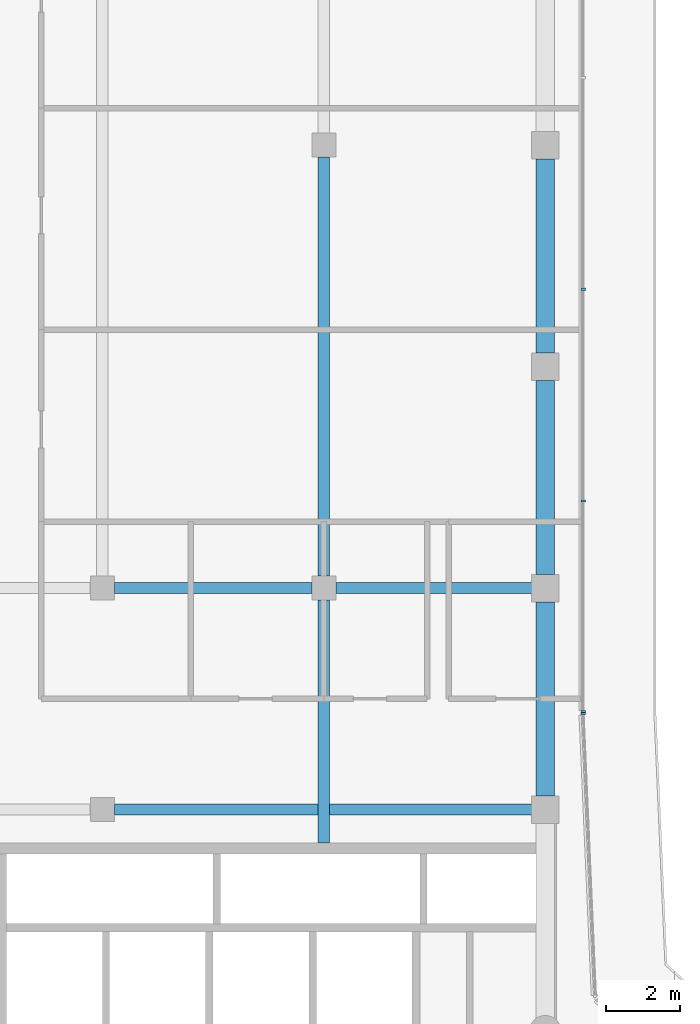
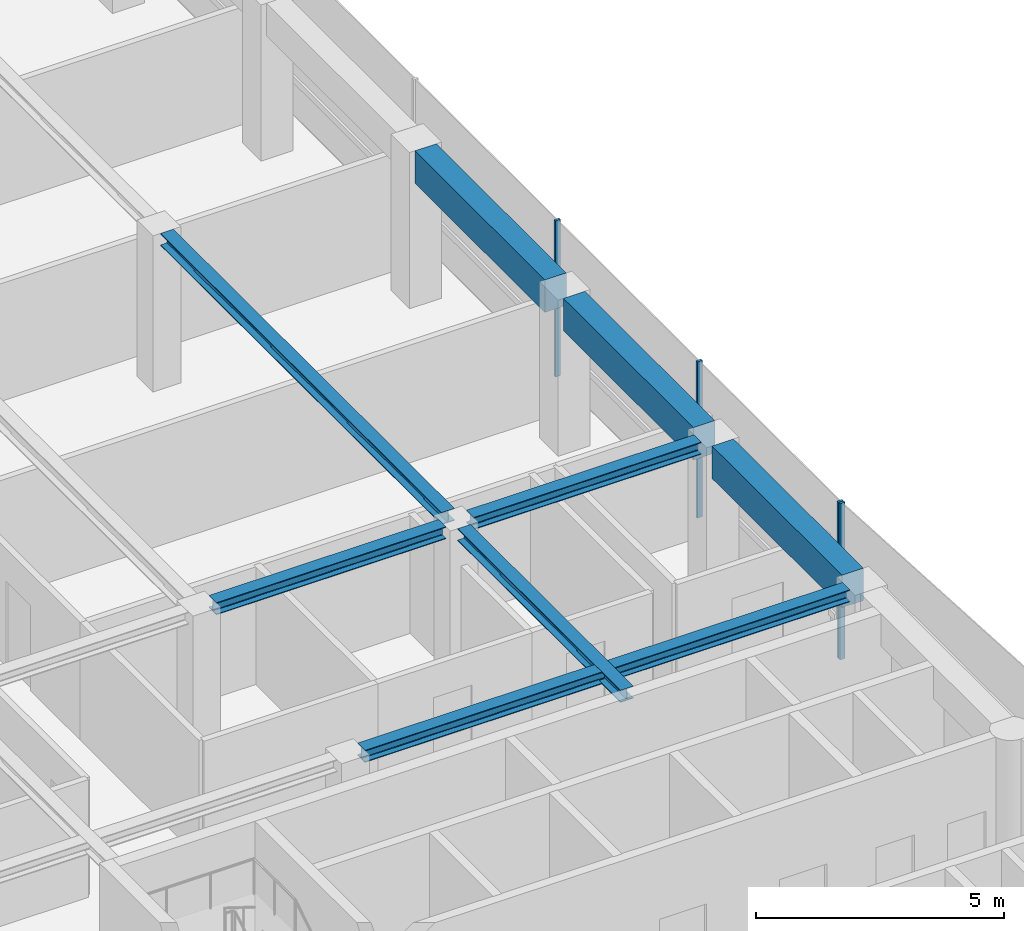
# One storey, part 9 of 20: 8 beams, 4 members, 2 elements without a shape of their own.
"""IFC4 building model written with IfcOpenShell, lengths in metres."""

from ifc_helpers import new_model, si_unit, direction, frame, origin, origin_2d, place, context, subcontext, project, spatial, rectangle, i_section, extrude, material, layer, layer_set, material_profile, profile_set, type_object, element, aggregate, save


model = new_model("IFC4")

# Units and contexts
model_context = context("Model", 3, precision=1e-05, world=origin(), true_north=direction((0.0, 1.0)))
body_context = subcontext(model_context, "Body", "Model", "MODEL_VIEW")
ifc_project = project(units=[si_unit("LENGTHUNIT", "METRE"), si_unit("AREAUNIT", "SQUARE_METRE"), si_unit("VOLUMEUNIT", "CUBIC_METRE"), si_unit("PLANEANGLEUNIT", "RADIAN"), si_unit("MASSUNIT", "GRAM", prefix="KILO")], contexts=[model_context])

# Site, building, storey
site_placement = place(None, origin())
site = spatial("IfcSite", under=ifc_project, at=site_placement, CompositionType="ELEMENT")
building_placement = place(site_placement, origin())
building = spatial("IfcBuilding", under=site, at=building_placement, Name="Welwitschia Terrace Campus", CompositionType="ELEMENT")
storey_placement = place(building_placement, frame((0.0, 0.0, 297.800048828125)))
storey = spatial("IfcBuildingStorey", under=building, at=storey_placement, Name="L66", CompositionType="ELEMENT", Elevation=297.800048828125)

# Beams
ifc_material_1 = material(Name="Steel S355", Category="steel")
ifc_material_profile_1 = material_profile(ifc_material_1, i_section(OverallWidth=0.300048828125, OverallDepth=0.300048828125, WebThickness=0.010986328125, FlangeThickness=0.01904296875, FilletRadius=0.027099609375, at=origin_2d()))
ifc_profile_set_1 = profile_set([ifc_material_profile_1], Name="Steel S355")
beam_type_1 = type_object("IfcBeamType", Name="Interior girder HE 300 B", PredefinedType="BEAM", material=ifc_profile_set_1)
beam_1_placement = place(storey_placement, frame((12.325439453125, 26.0, 3.699951171875), z_axis=(1.0, 0.0, 0.0), x_axis=(0.0, 1.0, 0.0)))
element("IfcBeam", 1, at=beam_1_placement, inside=storey, type_object=beam_type_1, Name="Girder GB6", PredefinedType="BEAM", context=body_context, shape_type="SweptSolid", body=[
    extrude(i_section(OverallWidth=0.300048828125, OverallDepth=0.300048828125, WebThickness=0.010986328125, FlangeThickness=0.01904296875, FilletRadius=0.027099609375, at=origin_2d()), origin(), (0.0, 0.0, 1.0), 11.30908203125),
])
beam_2_placement = place(storey_placement, frame((12.325439453125, 32.0, 3.699951171875), z_axis=(1.0, 0.0, 0.0), x_axis=(0.0, 1.0, 0.0)))
element("IfcBeam", 2, at=beam_2_placement, inside=storey, type_object=beam_type_1, Name="Girder GB6", PredefinedType="BEAM", context=body_context, shape_type="SweptSolid", body=[
    extrude(i_section(OverallWidth=0.300048828125, OverallDepth=0.300048828125, WebThickness=0.010986328125, FlangeThickness=0.01904296875, FilletRadius=0.027099609375, at=origin_2d()), origin(), (0.0, 0.0, 1.0), 5.34912109375),
])
beam_3_placement = place(storey_placement, frame((18.325439453125, 32.0, 3.699951171875), z_axis=(1.0, 0.0, 0.0), x_axis=(0.0, 1.0, 0.0)))
element("IfcBeam", 3, at=beam_3_placement, inside=storey, type_object=beam_type_1, Name="Girder GB6", PredefinedType="BEAM", context=body_context, shape_type="SweptSolid", body=[
    extrude(i_section(OverallWidth=0.300048828125, OverallDepth=0.300048828125, WebThickness=0.010986328125, FlangeThickness=0.01904296875, FilletRadius=0.027099609375, at=origin_2d()), origin(), (0.0, 0.0, 1.0), 5.30908203125),
])
beam_4_placement = place(storey_placement, frame((18.0, 25.10107421875, 3.699951171875), z_axis=(0.0, 1.0, 0.0), x_axis=(-1.0, 0.0, 0.0)))
element("IfcBeam", 4, at=beam_4_placement, inside=storey, type_object=beam_type_1, Name="Girder GB6", PredefinedType="BEAM", context=body_context, shape_type="SweptSolid", body=[
    extrude(i_section(OverallWidth=0.300048828125, OverallDepth=0.300048828125, WebThickness=0.010986328125, FlangeThickness=0.01904296875, FilletRadius=0.027099609375, at=origin_2d()), origin(), (0.0, 0.0, 1.0), 6.573486328125),
])
beam_5_placement = place(storey_placement, frame((18.0, 32.325439453125, 3.699951171875), z_axis=(0.0, 1.0, 0.0), x_axis=(-1.0, 0.0, 0.0)))
element("IfcBeam", 5, at=beam_5_placement, inside=storey, type_object=beam_type_1, Name="Girder GB6", PredefinedType="BEAM", context=body_context, shape_type="SweptSolid", body=[
    extrude(i_section(OverallWidth=0.300048828125, OverallDepth=0.300048828125, WebThickness=0.010986328125, FlangeThickness=0.01904296875, FilletRadius=0.027099609375, at=origin_2d()), origin(), (0.0, 0.0, 1.0), 11.34912109375),
])

# Curtain wall, member
ifc_material_2 = material(Name="Bronze anodised aluminium", Category="aluminium")
ifc_layer = layer(ifc_material_2, 0.1201171875)
ifc_layer_set = layer_set([ifc_layer], Name="Bronze anodised aluminium")
curtain_wall_type = type_object("IfcCurtainWallType", Name="Curtain wall CW2 tower 6000", PredefinedType="NOTDEFINED", material=ifc_layer_set)
curtain_wall_1_placement = place(storey_placement, origin())
curtain_wall_1 = element("IfcCurtainWall", 6, at=curtain_wall_1_placement, inside=storey, type_object=curtain_wall_type, Name="CW L66.5.0", PredefinedType="NOTDEFINED")
ifc_material_3 = material(Name="Bronze anodised aluminium", Category="aluminium")
ifc_material_profile_2 = material_profile(ifc_material_3, rectangle(XDim=0.1201171875, YDim=0.06005859375, at=origin_2d()))
ifc_profile_set_2 = profile_set([ifc_material_profile_2], Name="Bronze anodised aluminium")
member_type = type_object("IfcMemberType", Name="Mullion 60x120", PredefinedType="MULLION", material=ifc_profile_set_2)
member_1_placement = place(storey_placement, frame((25.03125, 28.599365234375, 0.0), z_axis=(0.0, 0.0, 1.0), x_axis=(-0.999048221582, -0.043619387365, 0.0)))
member_1 = element("IfcMember", 7, at=member_1_placement, type_object=member_type, Name="Mullion L66.5.0.1", PredefinedType="MULLION", context=body_context, shape_type="SweptSolid", body=[
    extrude(rectangle(XDim=0.1201171875, YDim=0.06005859375, at=origin_2d()), origin(), (0.0, 0.0, 1.0), 3.849853515625),
])
aggregate(curtain_wall_1, [member_1])

# Curtain wall, members
curtain_wall_2_placement = place(storey_placement, origin())
curtain_wall_2 = element("IfcCurtainWall", 8, at=curtain_wall_2_placement, inside=storey, type_object=curtain_wall_type, Name="CW L66.6.0", PredefinedType="NOTDEFINED")
member_2_placement = place(storey_placement, frame((25.030029296875, 28.659423828125, 0.0), z_axis=(0.0, 0.0, 1.0), x_axis=(-1.0, 0.0, 0.0)))
member_2 = element("IfcMember", 9, at=member_2_placement, type_object=member_type, Name="Mullion L66.6.0.0", PredefinedType="MULLION", context=body_context, shape_type="SweptSolid", body=[
    extrude(rectangle(XDim=0.1201171875, YDim=0.06005859375, at=origin_2d()), origin(), (0.0, 0.0, 1.0), 3.849853515625),
])
member_3_placement = place(storey_placement, frame((25.030029296875, 34.361572265625, 0.0), z_axis=(0.0, 0.0, 1.0), x_axis=(-1.0, 0.0, 0.0)))
member_3 = element("IfcMember", 10, at=member_3_placement, type_object=member_type, Name="Mullion L66.6.0.1", PredefinedType="MULLION", context=body_context, shape_type="SweptSolid", body=[
    extrude(rectangle(XDim=0.1201171875, YDim=0.06005859375, at=origin_2d()), origin(), (0.0, 0.0, 1.0), 3.849853515625),
])
member_4_placement = place(storey_placement, frame((25.030029296875, 40.09375, 0.0), z_axis=(0.0, 0.0, 1.0), x_axis=(-1.0, 0.0, 0.0)))
member_4 = element("IfcMember", 11, at=member_4_placement, type_object=member_type, Name="Mullion L66.6.0.2", PredefinedType="MULLION", context=body_context, shape_type="SweptSolid", body=[
    extrude(rectangle(XDim=0.1201171875, YDim=0.06005859375, at=origin_2d()), origin(), (0.0, 0.0, 1.0), 3.849853515625),
])
aggregate(curtain_wall_2, [member_2, member_3, member_4])

# Beams
ifc_material_4 = material(Name="Concrete C50/60", Category="concrete")
ifc_material_profile_3 = material_profile(ifc_material_4, rectangle(XDim=0.5, YDim=0.800048828125, at=origin_2d()))
ifc_profile_set_3 = profile_set([ifc_material_profile_3], Name="Concrete C50/60")
beam_type_2 = type_object("IfcBeamType", Name="Ring spandrel 500x800", PredefinedType="SPANDREL", material=ifc_profile_set_3)
for number, where, z_axis, x_axis, name in (
    (12, (24.0, 26.37548828125, 3.449951171875), (0.0, 1.0, 0.0), (-1.0, 0.0, 0.0), "Spandrel SP4"),
    (13, (24.0, 32.37548828125, 3.449951171875), (0.0, 1.0, 0.0), (-1.0, 0.0, 0.0), "Spandrel SP4"),
    (14, (24.0, 38.37548828125, 3.449951171875), (0.0, 1.0, 0.0), (-1.0, 0.0, 0.0), "Spandrel SP4"),
):
    element("IfcBeam", number, at=place(storey_placement, frame(where, z_axis=z_axis, x_axis=x_axis)), inside=storey, type_object=beam_type_2, Name=name, PredefinedType="SPANDREL", context=body_context, shape_type="SweptSolid", body=[
        extrude(rectangle(XDim=0.5, YDim=0.800048828125, at=origin_2d()), origin(), (0.0, 0.0, 1.0), 5.2490234375),
    ])

save(model, "model.ifc")
